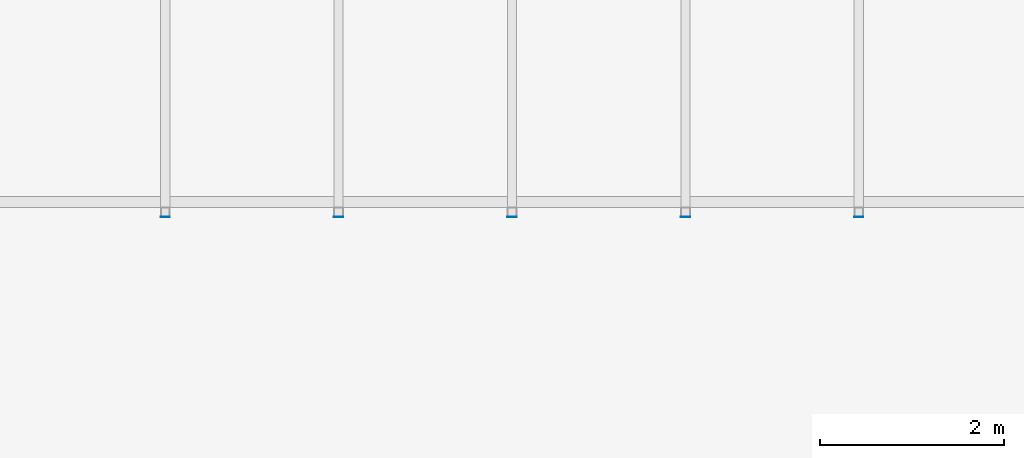
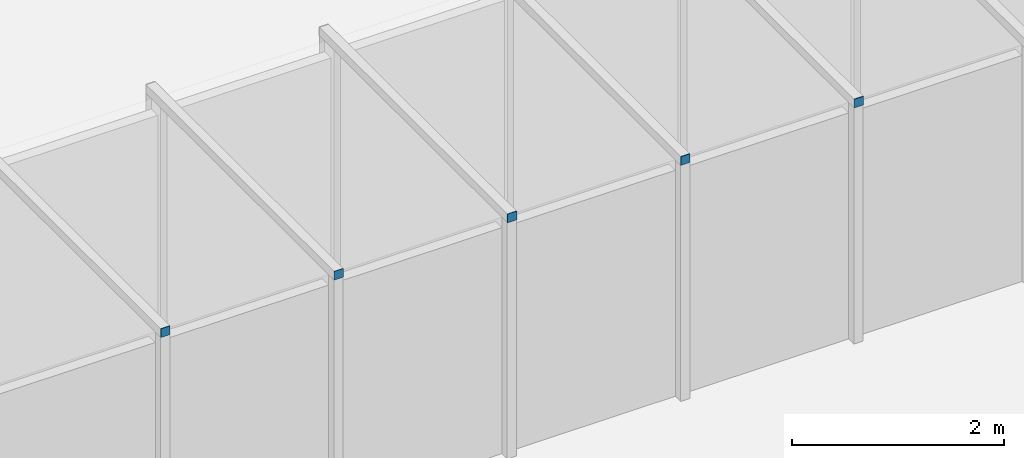
# One storey, part 40 of 85: 5 plates, 1 element without a shape of its own.
"""IFC4 building model written with IfcOpenShell, lengths in metres."""

from ifc_helpers import new_model, si_unit, direction, frame, origin, origin_2d, place, context, subcontext, project, spatial, rectangle, extrude, material, layer, layer_set, type_object, element, aggregate, save


model = new_model("IFC4")

# Units and contexts
model_context = context("Model", 3, precision=1e-05, world=origin(), true_north=direction((0.0, 1.0)))
body_context = subcontext(model_context, "Body", "Model", "MODEL_VIEW")
ifc_project = project(units=[si_unit("LENGTHUNIT", "METRE"), si_unit("AREAUNIT", "SQUARE_METRE"), si_unit("VOLUMEUNIT", "CUBIC_METRE"), si_unit("PLANEANGLEUNIT", "RADIAN"), si_unit("MASSUNIT", "GRAM", prefix="KILO")], contexts=[model_context])

# Site, building, storey
site_placement = place(None, origin())
site = spatial("IfcSite", under=ifc_project, at=site_placement, CompositionType="ELEMENT")
building_placement = place(site_placement, origin())
building = spatial("IfcBuilding", under=site, at=building_placement, Name="Volute Hill Aquarium", CompositionType="ELEMENT")
storey_placement = place(building_placement, origin())
storey = spatial("IfcBuildingStorey", under=building, at=storey_placement, Name="L01", CompositionType="ELEMENT", Elevation=0.0)

# Curtain wall, plates
ifc_material_1 = material(Name="Acrylic PMMA")
curtain_wall_type = type_object("IfcCurtainWallType", Name="Viewing tunnel acrylic assembly", PredefinedType="NOTDEFINED", material=ifc_material_1)
curtain_wall_placement = place(storey_placement, origin())
curtain_wall = element("IfcCurtainWall", 1, at=curtain_wall_placement, inside=storey, type_object=curtain_wall_type, Name="Viewing tunnel acrylic assembly", PredefinedType="NOTDEFINED")
ifc_material_2 = material(Name="Steel S355", Category="steel")
ifc_layer = layer(ifc_material_2, 0.006103515625)
ifc_layer_set = layer_set([ifc_layer], Name="Tunnel frame end plate 6 S355")
plate_type = type_object("IfcPlateType", Name="Tunnel frame end plate 6 S355", PredefinedType="SHEET", material=ifc_layer_set)
plate_1_placement = place(storey_placement, frame((3.7724609375, -1.77294921875, 2.719970703125), z_axis=(0.0, 0.0, 1.0), x_axis=(1.0, 0.0, 0.0)))
plate_1 = element("IfcPlate", 2, at=plate_1_placement, type_object=plate_type, Name="Tunnel frame end plate 11A", PredefinedType="SHEET", context=body_context, shape_type="SweptSolid", body=[
    extrude(rectangle(XDim=0.10009765625, YDim=0.006103515625, at=origin_2d()), origin(), (0.0, 0.0, 1.0), 0.10009765625),
])
plate_2_placement = place(storey_placement, frame((5.65869140625, -1.77294921875, 2.719970703125), z_axis=(0.0, 0.0, 1.0), x_axis=(1.0, 0.0, 0.0)))
plate_2 = element("IfcPlate", 3, at=plate_2_placement, type_object=plate_type, Name="Tunnel frame end plate 12A", PredefinedType="SHEET", context=body_context, shape_type="SweptSolid", body=[
    extrude(rectangle(XDim=0.10009765625, YDim=0.006103515625, at=origin_2d()), origin(), (0.0, 0.0, 1.0), 0.10009765625),
])
plate_3_placement = place(storey_placement, frame((7.544921875, -1.77294921875, 2.719970703125), z_axis=(0.0, 0.0, 1.0), x_axis=(1.0, 0.0, 0.0)))
plate_3 = element("IfcPlate", 4, at=plate_3_placement, type_object=plate_type, Name="Tunnel frame end plate 13A", PredefinedType="SHEET", context=body_context, shape_type="SweptSolid", body=[
    extrude(rectangle(XDim=0.10009765625, YDim=0.006103515625, at=origin_2d()), origin(), (0.0, 0.0, 1.0), 0.10009765625),
])
plate_4_placement = place(storey_placement, frame((9.43115234375, -1.77294921875, 2.719970703125), z_axis=(0.0, 0.0, 1.0), x_axis=(1.0, 0.0, 0.0)))
plate_4 = element("IfcPlate", 5, at=plate_4_placement, type_object=plate_type, Name="Tunnel frame end plate 14A", PredefinedType="SHEET", context=body_context, shape_type="SweptSolid", body=[
    extrude(rectangle(XDim=0.10009765625, YDim=0.006103515625, at=origin_2d()), origin(), (0.0, 0.0, 1.0), 0.10009765625),
])
plate_5_placement = place(storey_placement, frame((11.3173828125, -1.77294921875, 2.719970703125), z_axis=(0.0, 0.0, 1.0), x_axis=(1.0, 0.0, 0.0)))
plate_5 = element("IfcPlate", 6, at=plate_5_placement, type_object=plate_type, Name="Tunnel frame end plate 15A", PredefinedType="SHEET", context=body_context, shape_type="SweptSolid", body=[
    extrude(rectangle(XDim=0.10009765625, YDim=0.006103515625, at=origin_2d()), origin(), (0.0, 0.0, 1.0), 0.10009765625),
])
aggregate(curtain_wall, [plate_1, plate_2, plate_3, plate_4, plate_5])

save(model, "model.ifc")
